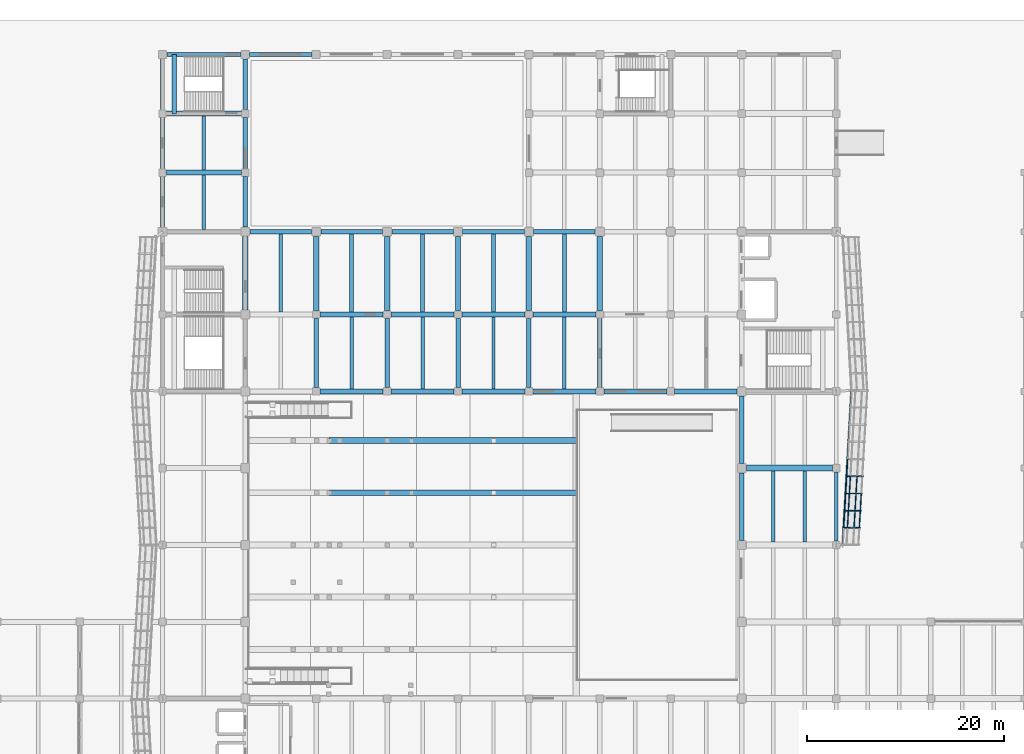
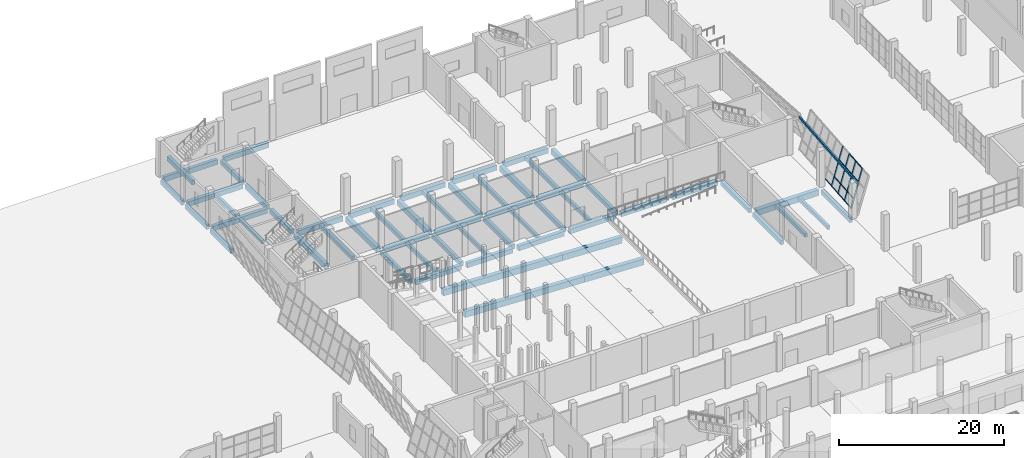
# One storey, part 30 of 78: 61 beams, 16 members, 1 element without a shape of its own.
"""IFC4 building model written with IfcOpenShell, lengths in metres."""

import ifcopenshell
import ifcopenshell.guid

model = None  # the IFC model being written
_history = None  # IfcOwnerHistory: only IFC2X3 demands one
_inside = {}  # id of a spatial element -> (the spatial element, [elements in it])
_under = {}  # id of a project, library or spatial element -> (it, [spatial elements below it])
_declared = {}  # id of a project -> (the project, [libraries it declares])
_typed = {}  # id of a type object -> (the type object, [elements of that type])
_made_of = {}  # id of a material, layer set ... -> (it, [elements and type objects made of it])


def new_model(schema):
    """Start an empty IFC model of exactly this schema.

    Asked for "IFC4X3", IfcOpenShell would pick the latest addendum, in which some entities
    have other attributes; the version numbers below select the first issue.
    IFC2X3 requires an IfcOwnerHistory on every rooted entity: one is made here for all.
    """
    global model, _history
    if schema == "IFC4X3":
        model = ifcopenshell.file(schema_version=(4, 3, 0, 0))
    else:
        model = ifcopenshell.file(schema=schema)
    _inside.clear()
    _under.clear()
    _declared.clear()
    _typed.clear()
    _made_of.clear()
    _history = None
    if model.schema == "IFC2X3":
        org = make("IfcOrganization", Name="unknown")
        user = make(
            "IfcPersonAndOrganization",
            ThePerson=make("IfcPerson", FamilyName="unknown"),
            TheOrganization=org,
        )
        app = make(
            "IfcApplication",
            ApplicationDeveloper=org,
            Version="unknown",
            ApplicationFullName="unknown",
            ApplicationIdentifier="unknown",
        )
        _history = make(
            "IfcOwnerHistory",
            OwningUser=user,
            OwningApplication=app,
            ChangeAction="ADDED",
            CreationDate=0,
        )
    return model


def make(cls, **values):
    """One entity of the class cls with the attributes given. An attribute that is None is left unset."""
    return model.create_entity(
        cls, **{name: value for name, value in values.items() if value is not None}
    )


def rooted(cls, **values):
    """An entity with a GlobalId (a new one), such as an element, a storey or a relation."""
    return make(cls, GlobalId=ifcopenshell.guid.new(), OwnerHistory=_history, **values)


def si_unit(unit_type, name, prefix=None):
    """IfcSIUnit, for example si_unit("LENGTHUNIT", "METRE", prefix="MILLI")."""
    return make("IfcSIUnit", UnitType=unit_type, Prefix=prefix, Name=name)


def assignment(units):
    """IfcUnitAssignment: the units of a project."""
    return None if units is None else make("IfcUnitAssignment", Units=units)


def point(xyz):
    """IfcCartesianPoint."""
    return None if xyz is None else make("IfcCartesianPoint", Coordinates=xyz)


def direction(xyz):
    """IfcDirection."""
    return None if xyz is None else make("IfcDirection", DirectionRatios=xyz)


def frame(location, z_axis=None, x_axis=None):
    """IfcAxis2Placement3D, a coordinate frame: its origin and axes. An axis left out is left unset."""
    return make(
        "IfcAxis2Placement3D",
        Location=point(location),
        Axis=direction(z_axis),
        RefDirection=direction(x_axis),
    )


def frame_2d(location, x_axis=None):
    """IfcAxis2Placement2D, a coordinate frame in the plane: its origin and x axis."""
    return make(
        "IfcAxis2Placement2D", Location=point(location), RefDirection=direction(x_axis)
    )


def origin():
    """The frame at (0, 0, 0) with its axes left unset."""
    return frame((0.0, 0.0, 0.0))


def origin_2d():
    """The frame at (0, 0) in the plane with its x axis left unset."""
    return frame_2d((0.0, 0.0))


def place(relative_to, where):
    """IfcLocalPlacement: puts the frame where relative to a parent placement (None: the world)."""
    return make(
        "IfcLocalPlacement", PlacementRelTo=relative_to, RelativePlacement=where
    )


def context(
    kind, dimensions, precision=None, world=None, true_north=None, identifier=None
):
    """IfcGeometricRepresentationContext, for example the 3D "Model" context."""
    return make(
        "IfcGeometricRepresentationContext",
        ContextIdentifier=identifier,
        ContextType=kind,
        CoordinateSpaceDimension=dimensions,
        Precision=precision,
        WorldCoordinateSystem=world,
        TrueNorth=true_north,
    )


def subcontext(parent, identifier, kind, view, scale=None):
    """IfcGeometricRepresentationSubContext, for example "Body" below "Model"."""
    return make(
        "IfcGeometricRepresentationSubContext",
        ContextIdentifier=identifier,
        ContextType=kind,
        ParentContext=parent,
        TargetScale=scale,
        TargetView=view,
    )


def project(units=None, contexts=None):
    """IfcProject with its units and contexts."""
    return rooted(
        "IfcProject",
        Name="project",
        RepresentationContexts=contexts,
        UnitsInContext=assignment(units),
    )


def spatial(cls, under=None, at=None, **own):
    """A site, building, storey or space (cls), placed at a placement, below another one or the project."""
    s = rooted(cls, ObjectPlacement=at, **own)
    if under is not None:
        _under.setdefault(under.id(), (under, []))[1].append(s)
    return s


def profile(cls, at=None, kind="AREA", **sizes):
    """A parametric profile (cls). Its sizes go by their IFC names, for example OverallWidth=200.0."""
    return make(cls, ProfileType=kind, Position=at, **sizes)


def rectangle(**sizes):
    """IfcRectangleProfileDef."""
    return profile("IfcRectangleProfileDef", **sizes)


def hollow_rectangle(**sizes):
    """IfcRectangleHollowProfileDef."""
    return profile("IfcRectangleHollowProfileDef", **sizes)


def extrude(swept, where, along, depth):
    """IfcExtrudedAreaSolid: the profile swept, set in the frame where, extruded along a direction by depth."""
    return make(
        "IfcExtrudedAreaSolid",
        SweptArea=swept,
        Position=where,
        ExtrudedDirection=direction(along),
        Depth=depth,
    )


def shape(context_of_items, identifier, shape_type, items):
    """IfcShapeRepresentation: the items that make up one representation, for example the "Body"."""
    return make(
        "IfcShapeRepresentation",
        ContextOfItems=context_of_items,
        RepresentationIdentifier=identifier,
        RepresentationType=shape_type,
        Items=items,
    )


def material(Name=None, Category=None):
    """IfcMaterial."""
    return make("IfcMaterial", Name=Name, Category=Category)


def material_profile(
    of_material, cross_section, Name=None, Category=None, Priority=None
):
    """IfcMaterialProfile: a cross section and its material."""
    return make(
        "IfcMaterialProfile",
        Name=Name,
        Material=of_material,
        Profile=cross_section,
        Priority=Priority,
        Category=Category,
    )


def profile_set(profiles, Name=None, composite=None):
    """IfcMaterialProfileSet."""
    return make(
        "IfcMaterialProfileSet",
        Name=Name,
        MaterialProfiles=profiles,
        CompositeProfile=composite,
    )


def made_of(thing, what):
    """Note that an element or type object is made of a material, layer set ...; save() writes the relation."""
    if what is not None:
        _made_of.setdefault(what.id(), (what, []))[1].append(thing)
    return thing


def type_object(cls, material=None, **own):
    """A type object (cls), such as IfcWallType, which elements share."""
    return made_of(rooted(cls, **own), material)


def element(
    cls,
    number,
    at=None,
    inside=None,
    cuts=None,
    type_object=None,
    material=None,
    context=None,
    identifier="Body",
    shape_type=None,
    held_by="IfcProductDefinitionShape",
    body=None,
    shapes=None,
    **own,
):
    """One element of the class cls, such as IfcWall. Its Tag is "e" and its number.

    at: its placement. inside: the storey or other place that contains it. cuts: it is an
    opening in that element (IfcRelVoidsElement). A single representation is given by context,
    identifier, shape_type and body (its items); several are given by shapes. held_by: the class
    of the entity that holds the representations. save() writes the other relations.
    """
    e = rooted(cls, Tag="e%d" % number, ObjectPlacement=at, **own)
    if body is not None:
        shapes = [shape(context, identifier, shape_type, body)]
    if shapes is not None:
        e.Representation = make(held_by, Representations=shapes)
    if inside is not None:
        _inside.setdefault(inside.id(), (inside, []))[1].append(e)
    if cuts is not None:
        rooted(
            "IfcRelVoidsElement", RelatingBuildingElement=cuts, RelatedOpeningElement=e
        )
    if type_object is not None:
        _typed.setdefault(type_object.id(), (type_object, []))[1].append(e)
    return made_of(e, material)


def aggregate(whole, parts):
    """IfcRelAggregates: a whole, such as a stair, and the parts it consists of."""
    return rooted("IfcRelAggregates", RelatingObject=whole, RelatedObjects=parts)


def save(model, path):
    """Write the relations noted so far, then the file.

    IfcRelAggregates (storeys below a building ...), IfcRelContainedInSpatialStructure (elements
    in a storey), IfcRelDefinesByType, IfcRelAssociatesMaterial and IfcRelDeclares: one each for
    every whole, place, type object, material and project.
    """
    for whole, parts in _under.values():
        aggregate(whole, parts)
    for where, things in _inside.values():
        rooted(
            "IfcRelContainedInSpatialStructure",
            RelatedElements=things,
            RelatingStructure=where,
        )
    for kind, things in _typed.values():
        rooted("IfcRelDefinesByType", RelatedObjects=things, RelatingType=kind)
    for what, things in _made_of.values():
        rooted("IfcRelAssociatesMaterial", RelatedObjects=things, RelatingMaterial=what)
    for by, libraries in _declared.values():
        rooted("IfcRelDeclares", RelatingContext=by, RelatedDefinitions=libraries)
    model.write(path)


model = new_model("IFC4")

# Units and contexts
model_context = context("Model", 3, precision=1e-05, world=origin(), true_north=direction((0.0, 1.0)))
body_context = subcontext(model_context, "Body", "Model", "MODEL_VIEW")
ifc_project = project(units=[si_unit("LENGTHUNIT", "METRE"), si_unit("AREAUNIT", "SQUARE_METRE"), si_unit("VOLUMEUNIT", "CUBIC_METRE"), si_unit("PLANEANGLEUNIT", "RADIAN"), si_unit("MASSUNIT", "GRAM", prefix="KILO")], contexts=[model_context])

# Site, building, storey
site_placement = place(None, origin())
site = spatial("IfcSite", under=ifc_project, at=site_placement, CompositionType="ELEMENT")
building_placement = place(site_placement, origin())
building = spatial("IfcBuilding", under=site, at=building_placement, Name="Pellamere Symphony Hall", CompositionType="ELEMENT")
storey_placement = place(building_placement, origin())
storey = spatial("IfcBuildingStorey", under=building, at=storey_placement, Name="L00", CompositionType="ELEMENT", Elevation=0.0)

# Curtain wall, members
ifc_material_1 = material(Name="Thermally Broken Anodised Aluminium 6063-T6 Curtain Wall", Category="aluminium")
curtain_wall_type = type_object("IfcCurtainWallType", Name="Curtain Wall CW-01 (Tilted Faceted Crystal Low-Iron Curtain Wall)", PredefinedType="NOTDEFINED", material=ifc_material_1)
curtain_wall_placement = place(storey_placement, origin())
curtain_wall = element("IfcCurtainWall", 1, at=curtain_wall_placement, inside=storey, type_object=curtain_wall_type, Name="Crystal Faceted Curtain Wall CW-CR08 (L00)", PredefinedType="NOTDEFINED")
ifc_material_2 = material(Name="Anodised Architectural Aluminium 6063-T6", Category="aluminium")
ifc_material_profile_1 = material_profile(ifc_material_2, hollow_rectangle(XDim=0.074951171875, YDim=0.219970703125, WallThickness=0.0048828125, at=origin_2d()), Name="ALU-M75X220X5")
ifc_profile_set_1 = profile_set([ifc_material_profile_1], Name="Anodised Architectural Aluminium 6063-T6")
member_type_1 = type_object("IfcMemberType", Name="Curtain Wall Mullion ML-01 ALU-M75X220X5", PredefinedType="MULLION", material=ifc_profile_set_1)
member_1_placement = place(storey_placement, frame((119.550048828125, 63.54443359375, 0.0), z_axis=(0.284029290042, 0.0, 0.958815603961), x_axis=(-0.054873864247, -0.99836096977, 0.016255247244)))
member_1 = element("IfcMember", 2, at=member_1_placement, type_object=member_type_1, Name="CW1-012 crystal mullion 2", PredefinedType="MULLION", context=body_context, shape_type="SweptSolid", body=[
    extrude(hollow_rectangle(XDim=0.074951171875, YDim=0.219970703125, WallThickness=0.0048828125, at=origin_2d()), origin(), (0.0, 0.0, 1.0), 5.6318359375),
])
member_2_placement = place(storey_placement, frame((119.64990234375, 65.288818359375, 0.0), z_axis=(0.284029290042, 0.0, 0.958815603961), x_axis=(-0.054873864247, -0.99836096977, 0.016255247244)))
member_2 = element("IfcMember", 3, at=member_2_placement, type_object=member_type_1, Name="CW1-012 crystal mullion 3", PredefinedType="MULLION", context=body_context, shape_type="SweptSolid", body=[
    extrude(hollow_rectangle(XDim=0.074951171875, YDim=0.219970703125, WallThickness=0.0048828125, at=origin_2d()), origin(), (0.0, 0.0, 1.0), 5.6318359375),
])
member_3_placement = place(storey_placement, frame((119.75, 67.033447265625, 0.0), z_axis=(0.284029290042, 0.0, 0.958815603961), x_axis=(-0.054873864247, -0.99836096977, 0.016255247244)))
member_3 = element("IfcMember", 4, at=member_3_placement, type_object=member_type_1, Name="CW1-012 crystal mullion 4", PredefinedType="MULLION", context=body_context, shape_type="SweptSolid", body=[
    extrude(hollow_rectangle(XDim=0.074951171875, YDim=0.219970703125, WallThickness=0.0048828125, at=origin_2d()), origin(), (0.0, 0.0, 1.0), 5.6318359375),
])
member_4_placement = place(storey_placement, frame((119.85009765625, 68.77783203125, 0.0), z_axis=(0.284029290042, 0.0, 0.958815603961), x_axis=(-0.054873864247, -0.99836096977, 0.016255247244)))
member_4 = element("IfcMember", 5, at=member_4_placement, type_object=member_type_1, Name="CW1-012 crystal mullion 5", PredefinedType="MULLION", context=body_context, shape_type="SweptSolid", body=[
    extrude(hollow_rectangle(XDim=0.074951171875, YDim=0.219970703125, WallThickness=0.0048828125, at=origin_2d()), origin(), (0.0, 0.0, 1.0), 5.6318359375),
])
ifc_material_profile_2 = material_profile(ifc_material_2, hollow_rectangle(XDim=0.074951171875, YDim=0.179931640625, WallThickness=0.0048828125, at=origin_2d()), Name="ALU-T75X180X5")
ifc_profile_set_2 = profile_set([ifc_material_profile_2], Name="Anodised Architectural Aluminium 6063-T6")
member_type_2 = type_object("IfcMemberType", Name="Curtain Wall Transom TR-01 ALU-T75X180X5", PredefinedType="USERDEFINED", material=ifc_profile_set_2)
member_5_placement = place(storey_placement, frame((119.562744140625, 63.581787109375, 0.035888671875), z_axis=(0.057224396245, 0.998361341637, 0.0), x_axis=(-0.998361341637, 0.057224396245, 0.0)))
member_5 = element("IfcMember", 6, at=member_5_placement, type_object=member_type_2, Name="CW1-012 crystal transom 2.1", ObjectType="TRANSOM", PredefinedType="USERDEFINED", context=body_context, shape_type="SweptSolid", body=[
    extrude(hollow_rectangle(XDim=0.074951171875, YDim=0.179931640625, WallThickness=0.0048828125, at=origin_2d()), origin(), (0.0, 0.0, 1.0), 1.67236328125),
])
member_6_placement = place(storey_placement, frame((119.93603515625, 63.581787109375, 1.2958984375), z_axis=(0.057224396245, 0.998361341637, 0.0), x_axis=(-0.998361341637, 0.057224396245, 0.0)))
member_6 = element("IfcMember", 7, at=member_6_placement, type_object=member_type_2, Name="CW1-012 crystal transom 2.2", ObjectType="TRANSOM", PredefinedType="USERDEFINED", context=body_context, shape_type="SweptSolid", body=[
    extrude(hollow_rectangle(XDim=0.074951171875, YDim=0.179931640625, WallThickness=0.0048828125, at=origin_2d()), origin(), (0.0, 0.0, 1.0), 1.67236328125),
])
member_7_placement = place(storey_placement, frame((120.60791015625, 63.581787109375, 3.56396484375), z_axis=(0.057224396245, 0.998361341637, 0.0), x_axis=(-0.998361341637, 0.057224396245, 0.0)))
member_7 = element("IfcMember", 8, at=member_7_placement, type_object=member_type_2, Name="CW1-012 crystal transom 2.3", ObjectType="TRANSOM", PredefinedType="USERDEFINED", context=body_context, shape_type="SweptSolid", body=[
    extrude(hollow_rectangle(XDim=0.074951171875, YDim=0.179931640625, WallThickness=0.0048828125, at=origin_2d()), origin(), (0.0, 0.0, 1.0), 1.67236328125),
])
member_8_placement = place(storey_placement, frame((121.14111328125, 63.581787109375, 5.364013671875), z_axis=(0.057224396245, 0.998361341637, 0.0), x_axis=(-0.998361341637, 0.057224396245, 0.0)))
member_8 = element("IfcMember", 9, at=member_8_placement, type_object=member_type_2, Name="CW1-012 crystal transom 2.4", ObjectType="TRANSOM", PredefinedType="USERDEFINED", context=body_context, shape_type="SweptSolid", body=[
    extrude(hollow_rectangle(XDim=0.074951171875, YDim=0.179931640625, WallThickness=0.0048828125, at=origin_2d()), origin(), (0.0, 0.0, 1.0), 1.67236328125),
])
member_9_placement = place(storey_placement, frame((119.662841796875, 65.326416015625, 0.035888671875), z_axis=(0.057232737422, 0.998360863499, 0.0), x_axis=(-0.998360863499, 0.057232737422, 0.0)))
member_9 = element("IfcMember", 10, at=member_9_placement, type_object=member_type_2, Name="CW1-012 crystal transom 3.1", ObjectType="TRANSOM", PredefinedType="USERDEFINED", context=body_context, shape_type="SweptSolid", body=[
    extrude(hollow_rectangle(XDim=0.074951171875, YDim=0.179931640625, WallThickness=0.0048828125, at=origin_2d()), origin(), (0.0, 0.0, 1.0), 1.672119140625),
])
member_10_placement = place(storey_placement, frame((120.0361328125, 65.326416015625, 1.2958984375), z_axis=(0.057232737422, 0.998360863499, 0.0), x_axis=(-0.998360863499, 0.057232737422, 0.0)))
member_10 = element("IfcMember", 11, at=member_10_placement, type_object=member_type_2, Name="CW1-012 crystal transom 3.2", ObjectType="TRANSOM", PredefinedType="USERDEFINED", context=body_context, shape_type="SweptSolid", body=[
    extrude(hollow_rectangle(XDim=0.074951171875, YDim=0.179931640625, WallThickness=0.0048828125, at=origin_2d()), origin(), (0.0, 0.0, 1.0), 1.672119140625),
])
member_11_placement = place(storey_placement, frame((120.707763671875, 65.326416015625, 3.56396484375), z_axis=(0.057378259236, 0.998352510573, 0.0), x_axis=(-0.998352510573, 0.057378259236, 0.0)))
member_11 = element("IfcMember", 12, at=member_11_placement, type_object=member_type_2, Name="CW1-012 crystal transom 3.3", ObjectType="TRANSOM", PredefinedType="USERDEFINED", context=body_context, shape_type="SweptSolid", body=[
    extrude(hollow_rectangle(XDim=0.074951171875, YDim=0.179931640625, WallThickness=0.0048828125, at=origin_2d()), origin(), (0.0, 0.0, 1.0), 1.672119140625),
])
member_12_placement = place(storey_placement, frame((121.2412109375, 65.326416015625, 5.364013671875), z_axis=(0.057232737422, 0.998360863499, 0.0), x_axis=(-0.998360863499, 0.057232737422, 0.0)))
member_12 = element("IfcMember", 13, at=member_12_placement, type_object=member_type_2, Name="CW1-012 crystal transom 3.4", ObjectType="TRANSOM", PredefinedType="USERDEFINED", context=body_context, shape_type="SweptSolid", body=[
    extrude(hollow_rectangle(XDim=0.074951171875, YDim=0.179931640625, WallThickness=0.0048828125, at=origin_2d()), origin(), (0.0, 0.0, 1.0), 1.672119140625),
])
member_13_placement = place(storey_placement, frame((119.7626953125, 67.07080078125, 0.035888671875), z_axis=(0.057232737422, 0.998360863499, 0.0), x_axis=(-0.998360863499, 0.057232737422, 0.0)))
member_13 = element("IfcMember", 14, at=member_13_placement, type_object=member_type_2, Name="CW1-012 crystal transom 4.1", ObjectType="TRANSOM", PredefinedType="USERDEFINED", context=body_context, shape_type="SweptSolid", body=[
    extrude(hollow_rectangle(XDim=0.074951171875, YDim=0.179931640625, WallThickness=0.0048828125, at=origin_2d()), origin(), (0.0, 0.0, 1.0), 1.672119140625),
])
member_14_placement = place(storey_placement, frame((120.135986328125, 67.07080078125, 1.2958984375), z_axis=(0.057232737422, 0.998360863499, 0.0), x_axis=(-0.998360863499, 0.057232737422, 0.0)))
member_14 = element("IfcMember", 15, at=member_14_placement, type_object=member_type_2, Name="CW1-012 crystal transom 4.2", ObjectType="TRANSOM", PredefinedType="USERDEFINED", context=body_context, shape_type="SweptSolid", body=[
    extrude(hollow_rectangle(XDim=0.074951171875, YDim=0.179931640625, WallThickness=0.0048828125, at=origin_2d()), origin(), (0.0, 0.0, 1.0), 1.672119140625),
])
member_15_placement = place(storey_placement, frame((120.807861328125, 67.07080078125, 3.56396484375), z_axis=(0.057232737422, 0.998360863499, 0.0), x_axis=(-0.998360863499, 0.057232737422, 0.0)))
member_15 = element("IfcMember", 16, at=member_15_placement, type_object=member_type_2, Name="CW1-012 crystal transom 4.3", ObjectType="TRANSOM", PredefinedType="USERDEFINED", context=body_context, shape_type="SweptSolid", body=[
    extrude(hollow_rectangle(XDim=0.074951171875, YDim=0.179931640625, WallThickness=0.0048828125, at=origin_2d()), origin(), (0.0, 0.0, 1.0), 1.672119140625),
])
member_16_placement = place(storey_placement, frame((119.86279296875, 68.815185546875, 0.035888671875), z_axis=(0.057224396245, 0.998361341637, 0.0), x_axis=(-0.998361341637, 0.057224396245, 0.0)))
member_16 = element("IfcMember", 17, at=member_16_placement, type_object=member_type_2, Name="CW1-012 crystal transom 5.1", ObjectType="TRANSOM", PredefinedType="USERDEFINED", context=body_context, shape_type="SweptSolid", body=[
    extrude(hollow_rectangle(XDim=0.074951171875, YDim=0.179931640625, WallThickness=0.0048828125, at=origin_2d()), origin(), (0.0, 0.0, 1.0), 1.67236328125),
])
aggregate(curtain_wall, [member_1, member_2, member_3, member_4, member_5, member_6, member_7, member_8, member_9, member_10, member_11, member_12, member_13, member_14, member_15, member_16])

# Beams
ifc_material_3 = material(Name="Concrete 40 MPa", Category="concrete")
ifc_material_profile_3 = material_profile(ifc_material_3, rectangle(XDim=0.60009765625, YDim=0.85009765625, at=origin_2d()), Name="RC 600x850")
ifc_profile_set_3 = profile_set([ifc_material_profile_3], Name="Concrete 40 MPa")
beam_type_1 = type_object("IfcBeamType", Name="RC CB-04 600x850", PredefinedType="BEAM", material=ifc_profile_set_3)
beam_1_placement = place(storey_placement, frame((109.675048828125, 69.60009765625, -0.72509765625), z_axis=(1.0, 0.0, 0.0), x_axis=(0.0, 1.0, 0.0)))
element("IfcBeam", 18, at=beam_1_placement, inside=storey, type_object=beam_type_1, Name="Girder CB-04-X0131 (L00)", PredefinedType="BEAM", context=body_context, shape_type="SweptSolid", body=[
    extrude(rectangle(XDim=0.60009765625, YDim=0.85009765625, at=origin_2d()), origin(), (0.0, 0.0, 1.0), 8.724853515625),
])
ifc_material_profile_4 = material_profile(ifc_material_3, rectangle(XDim=0.550048828125, YDim=0.800048828125, at=origin_2d()), Name="RC 550x800")
ifc_profile_set_4 = profile_set([ifc_material_profile_4], Name="Concrete 40 MPa")
beam_type_2 = type_object("IfcBeamType", Name="RC CB-05 550x800", PredefinedType="BEAM", material=ifc_profile_set_4)
beam_2_placement = place(storey_placement, frame((58.800048828125, 85.675048828125, -0.699951171875), z_axis=(0.0, 1.0, 0.0), x_axis=(-1.0, 0.0, 0.0)))
element("IfcBeam", 19, at=beam_2_placement, inside=storey, type_object=beam_type_2, Name="Girder CB-05-Y0255 (L00)", PredefinedType="BEAM", context=body_context, shape_type="SweptSolid", body=[
    extrude(rectangle(XDim=0.550048828125, YDim=0.800048828125, at=origin_2d()), origin(), (0.0, 0.0, 1.0), 7.449951171875),
])
for number, where, z_axis, x_axis, name in (
    (20, (66.0, 85.60009765625, -0.699951171875), (0.0, 1.0, 0.0), (-1.0, 0.0, 0.0), "Girder CB-05-Y0264 (L00)"),
    (21, (73.199951171875, 85.60009765625, -0.699951171875), (0.0, 1.0, 0.0), (-1.0, 0.0, 0.0), "Girder CB-05-Y0270 (L00)"),
    (22, (80.39990234375, 85.60009765625, -0.699951171875), (0.0, 1.0, 0.0), (-1.0, 0.0, 0.0), "Girder CB-05-Y0276 (L00)"),
    (23, (87.60009765625, 85.60009765625, -0.699951171875), (0.0, 1.0, 0.0), (-1.0, 0.0, 0.0), "Girder CB-05-Y0282 (L00)"),
    (24, (94.800048828125, 85.60009765625, -0.699951171875), (0.0, 1.0, 0.0), (-1.0, 0.0, 0.0), "Girder CB-05-Y0291 (L00)"),
):
    element("IfcBeam", number, at=place(storey_placement, frame(where, z_axis=z_axis, x_axis=x_axis)), inside=storey, type_object=beam_type_2, Name=name, PredefinedType="BEAM", context=body_context, shape_type="SweptSolid", body=[
        extrude(rectangle(XDim=0.550048828125, YDim=0.800048828125, at=origin_2d()), origin(), (0.0, 0.0, 1.0), 7.52490234375),
    ])
ifc_material_profile_5 = material_profile(ifc_material_3, rectangle(XDim=0.5, YDim=0.699951171875, at=origin_2d()), Name="RC 500x700")
ifc_profile_set_5 = profile_set([ifc_material_profile_5], Name="Concrete 40 MPa")
beam_type_3 = type_object("IfcBeamType", Name="RC CB-07 500x700", PredefinedType="BEAM", material=ifc_profile_set_5)
beam_3_placement = place(storey_placement, frame((66.39990234375, 77.39990234375, -0.64990234375), z_axis=(1.0, 0.0, 0.0), x_axis=(0.0, 1.0, 0.0)))
element("IfcBeam", 25, at=beam_3_placement, inside=storey, type_object=beam_type_3, Name="Girder CB-07-X0138 (L00)", PredefinedType="BEAM", context=body_context, shape_type="SweptSolid", body=[
    extrude(rectangle(XDim=0.5, YDim=0.699951171875, at=origin_2d()), origin(), (0.0, 0.0, 1.0), 6.400146484375),
])
for number, where, z_axis, x_axis, name in (
    (26, (73.60009765625, 77.39990234375, -0.64990234375), (1.0, 0.0, 0.0), (0.0, 1.0, 0.0), "Girder CB-07-X0139 (L00)"),
    (27, (80.800048828125, 77.39990234375, -0.64990234375), (1.0, 0.0, 0.0), (0.0, 1.0, 0.0), "Girder CB-07-X0140 (L00)"),
    (28, (88.0, 77.39990234375, -0.64990234375), (1.0, 0.0, 0.0), (0.0, 1.0, 0.0), "Girder CB-07-X0141 (L00)"),
):
    element("IfcBeam", number, at=place(storey_placement, frame(where, z_axis=z_axis, x_axis=x_axis)), inside=storey, type_object=beam_type_3, Name=name, PredefinedType="BEAM", context=body_context, shape_type="SweptSolid", body=[
        extrude(rectangle(XDim=0.5, YDim=0.699951171875, at=origin_2d()), origin(), (0.0, 0.0, 1.0), 6.39990234375),
    ])
beam_4_placement = place(storey_placement, frame((95.199951171875, 77.39990234375, -0.64990234375), z_axis=(1.0, 0.0, 0.0), x_axis=(0.0, 1.0, 0.0)))
element("IfcBeam", 29, at=beam_4_placement, inside=storey, type_object=beam_type_3, Name="Girder CB-07-X0142 (L00)", PredefinedType="BEAM", context=body_context, shape_type="SweptSolid", body=[
    extrude(rectangle(XDim=0.5, YDim=0.699951171875, at=origin_2d()), origin(), (0.0, 0.0, 1.0), 6.400146484375),
])
beam_5_placement = place(storey_placement, frame((102.39990234375, 77.39990234375, -0.64990234375), z_axis=(1.0, 0.0, 0.0), x_axis=(0.0, 1.0, 0.0)))
element("IfcBeam", 30, at=beam_5_placement, inside=storey, type_object=beam_type_3, Name="Girder CB-07-X0143 (L00)", PredefinedType="BEAM", context=body_context, shape_type="SweptSolid", body=[
    extrude(rectangle(XDim=0.5, YDim=0.699951171875, at=origin_2d()), origin(), (0.0, 0.0, 1.0), 6.3251953125),
])
beam_6_placement = place(storey_placement, frame((66.39990234375, 85.199951171875, -0.64990234375), z_axis=(1.0, 0.0, 0.0), x_axis=(0.0, 1.0, 0.0)))
element("IfcBeam", 31, at=beam_6_placement, inside=storey, type_object=beam_type_3, Name="Girder CB-07-X0151 (L00)", PredefinedType="BEAM", context=body_context, shape_type="SweptSolid", body=[
    extrude(rectangle(XDim=0.5, YDim=0.699951171875, at=origin_2d()), origin(), (0.0, 0.0, 1.0), 6.400146484375),
])
for number, where, z_axis, x_axis, name in (
    (32, (73.60009765625, 85.199951171875, -0.64990234375), (1.0, 0.0, 0.0), (0.0, 1.0, 0.0), "Girder CB-07-X0152 (L00)"),
    (33, (80.800048828125, 85.199951171875, -0.64990234375), (1.0, 0.0, 0.0), (0.0, 1.0, 0.0), "Girder CB-07-X0153 (L00)"),
    (34, (88.0, 85.199951171875, -0.64990234375), (1.0, 0.0, 0.0), (0.0, 1.0, 0.0), "Girder CB-07-X0154 (L00)"),
):
    element("IfcBeam", number, at=place(storey_placement, frame(where, z_axis=z_axis, x_axis=x_axis)), inside=storey, type_object=beam_type_3, Name=name, PredefinedType="BEAM", context=body_context, shape_type="SweptSolid", body=[
        extrude(rectangle(XDim=0.5, YDim=0.699951171875, at=origin_2d()), origin(), (0.0, 0.0, 1.0), 6.39990234375),
    ])
for number, where, z_axis, x_axis, name in (
    (35, (50.800048828125, 99.60009765625, -0.64990234375), (1.0, 0.0, 0.0), (0.0, 1.0, 0.0), "Girder CB-07-X0174 (L00)"),
    (36, (50.800048828125, 105.60009765625, -0.64990234375), (1.0, 0.0, 0.0), (0.0, 1.0, 0.0), "Girder CB-07-X0183 (L00)"),
):
    element("IfcBeam", number, at=place(storey_placement, frame(where, z_axis=z_axis, x_axis=x_axis)), inside=storey, type_object=beam_type_3, Name=name, PredefinedType="BEAM", context=body_context, shape_type="SweptSolid", body=[
        extrude(rectangle(XDim=0.5, YDim=0.699951171875, at=origin_2d()), origin(), (0.0, 0.0, 1.0), 7.599853515625),
    ])
ifc_material_profile_6 = material_profile(ifc_material_3, rectangle(XDim=0.449951171875, YDim=0.64990234375, at=origin_2d()), Name="RC 450x650")
ifc_profile_set_6 = profile_set([ifc_material_profile_6], Name="Concrete 40 MPa")
beam_type_4 = type_object("IfcBeamType", Name="RC CB-08 450x650", PredefinedType="BEAM", material=ifc_profile_set_6)
beam_7_placement = place(storey_placement, frame((58.800048828125, 94.074951171875, -0.625), z_axis=(0.0, 1.0, 0.0), x_axis=(-1.0, 0.0, 0.0)))
element("IfcBeam", 37, at=beam_7_placement, inside=storey, type_object=beam_type_4, Name="Girder CB-08-Y0256 (L00)", PredefinedType="BEAM", context=body_context, shape_type="SweptSolid", body=[
    extrude(rectangle(XDim=0.449951171875, YDim=0.64990234375, at=origin_2d()), origin(), (0.0, 0.0, 1.0), 5.125),
])
beam_8_placement = place(storey_placement, frame((58.800048828125, 100.0, -0.625), z_axis=(0.0, 1.0, 0.0), x_axis=(-1.0, 0.0, 0.0)))
element("IfcBeam", 38, at=beam_8_placement, inside=storey, type_object=beam_type_4, Name="Girder CB-08-Y0257 (L00)", PredefinedType="BEAM", context=body_context, shape_type="SweptSolid", body=[
    extrude(rectangle(XDim=0.449951171875, YDim=0.64990234375, at=origin_2d()), origin(), (0.0, 0.0, 1.0), 5.199951171875),
])
beam_9_placement = place(storey_placement, frame((58.800048828125, 106.0, -0.625), z_axis=(0.0, 1.0, 0.0), x_axis=(-1.0, 0.0, 0.0)))
element("IfcBeam", 39, at=beam_9_placement, inside=storey, type_object=beam_type_4, Name="Girder CB-08-Y0258 (L00)", PredefinedType="BEAM", context=body_context, shape_type="SweptSolid", body=[
    extrude(rectangle(XDim=0.449951171875, YDim=0.64990234375, at=origin_2d()), origin(), (0.0, 0.0, 1.0), 5.159912109375),
])
for number, where, z_axis, x_axis, name in (
    (40, (66.0, 77.800048828125, -0.625), (0.0, 1.0, 0.0), (-1.0, 0.0, 0.0), "Girder CB-08-Y0263 (L00)"),
    (41, (73.199951171875, 77.800048828125, -0.625), (0.0, 1.0, 0.0), (-1.0, 0.0, 0.0), "Girder CB-08-Y0269 (L00)"),
    (42, (80.39990234375, 77.800048828125, -0.625), (0.0, 1.0, 0.0), (-1.0, 0.0, 0.0), "Girder CB-08-Y0275 (L00)"),
    (43, (87.60009765625, 77.800048828125, -0.625), (0.0, 1.0, 0.0), (-1.0, 0.0, 0.0), "Girder CB-08-Y0281 (L00)"),
    (44, (94.800048828125, 77.800048828125, -0.625), (0.0, 1.0, 0.0), (-1.0, 0.0, 0.0), "Girder CB-08-Y0290 (L00)"),
):
    element("IfcBeam", number, at=place(storey_placement, frame(where, z_axis=z_axis, x_axis=x_axis)), inside=storey, type_object=beam_type_4, Name=name, PredefinedType="BEAM", context=body_context, shape_type="SweptSolid", body=[
        extrude(rectangle(XDim=0.449951171875, YDim=0.64990234375, at=origin_2d()), origin(), (0.0, 0.0, 1.0), 7.0),
    ])
for number, where, z_axis, x_axis, name in (
    (45, (109.199951171875, 62.27490234375, -0.625), (0.0, 1.0, 0.0), (-1.0, 0.0, 0.0), "Girder CB-08-Y0310 (L00)"),
    (46, (109.199951171875, 70.074951171875, -0.625), (0.0, 1.0, 0.0), (-1.0, 0.0, 0.0), "Girder CB-08-Y0311 (L00)"),
):
    element("IfcBeam", number, at=place(storey_placement, frame(where, z_axis=z_axis, x_axis=x_axis)), inside=storey, type_object=beam_type_4, Name=name, PredefinedType="BEAM", context=body_context, shape_type="SweptSolid", body=[
        extrude(rectangle(XDim=0.449951171875, YDim=0.64990234375, at=origin_2d()), origin(), (0.0, 0.0, 1.0), 6.85009765625),
    ])
beam_10_placement = place(storey_placement, frame((51.592529296875, 105.580078125, 2.155029296875), z_axis=(0.0, 1.0, 0.0), x_axis=(-1.0, 0.0, 0.0)))
element("IfcBeam", 47, at=beam_10_placement, inside=storey, type_object=beam_type_4, Name="Stair ST10-L00 Half Landing Support Beam (L00)", PredefinedType="BEAM", context=body_context, shape_type="SweptSolid", body=[
    extrude(rectangle(XDim=0.449951171875, YDim=0.64990234375, at=origin_2d()), origin(), (0.0, 0.0, 1.0), 6.0400390625),
])
ifc_material_profile_7 = material_profile(ifc_material_3, rectangle(XDim=0.39990234375, YDim=0.60009765625, at=origin_2d()), Name="RC 400x600")
ifc_profile_set_7 = profile_set([ifc_material_profile_7], Name="Concrete 40 MPa")
beam_type_5 = type_object("IfcBeamType", Name="RC CB-09 400x600", PredefinedType="BEAM", material=ifc_profile_set_7)
for number, where, z_axis, x_axis, name in (
    (48, (62.39990234375, 85.449951171875, -0.614990234375), (0.0, 1.0, 0.0), (-1.0, 0.0, 0.0), "Secondary Floor Beam CB-09-M0711 (L00)"),
    (49, (69.60009765625, 85.449951171875, -0.614990234375), (0.0, 1.0, 0.0), (-1.0, 0.0, 0.0), "Secondary Floor Beam CB-09-M0811 (L00)"),
    (50, (76.800048828125, 85.449951171875, -0.614990234375), (0.0, 1.0, 0.0), (-1.0, 0.0, 0.0), "Secondary Floor Beam CB-09-M0911 (L00)"),
    (51, (84.0, 85.449951171875, -0.614990234375), (0.0, 1.0, 0.0), (-1.0, 0.0, 0.0), "Secondary Floor Beam CB-09-M1011 (L00)"),
    (52, (91.199951171875, 85.449951171875, -0.614990234375), (0.0, 1.0, 0.0), (-1.0, 0.0, 0.0), "Secondary Floor Beam CB-09-M1111 (L00)"),
):
    element("IfcBeam", number, at=place(storey_placement, frame(where, z_axis=z_axis, x_axis=x_axis)), inside=storey, type_object=beam_type_5, Name=name, PredefinedType="BEAM", context=body_context, shape_type="SweptSolid", body=[
        extrude(rectangle(XDim=0.39990234375, YDim=0.60009765625, at=origin_2d()), origin(), (0.0, 0.0, 1.0), 7.925048828125),
    ])
ifc_material_4 = material(Name="Concrete 35 MPa", Category="concrete")
ifc_material_profile_8 = material_profile(ifc_material_4, rectangle(XDim=0.35009765625, YDim=0.550048828125, at=origin_2d()), Name="RC 350x550")
ifc_profile_set_8 = profile_set([ifc_material_profile_8], Name="Concrete 35 MPa")
beam_type_6 = type_object("IfcBeamType", Name="RC CB-10 350x550", PredefinedType="BEAM", material=ifc_profile_set_8)
beam_11_placement = place(storey_placement, frame((54.60009765625, 93.824951171875, -0.590087890625), z_axis=(0.0, 1.0, 0.0), x_axis=(-1.0, 0.0, 0.0)))
element("IfcBeam", 53, at=beam_11_placement, inside=storey, type_object=beam_type_6, Name="Secondary Floor Beam CB-10-M0612 (L00)", PredefinedType="BEAM", context=body_context, shape_type="SweptSolid", body=[
    extrude(rectangle(XDim=0.35009765625, YDim=0.550048828125, at=origin_2d()), origin(), (0.0, 0.0, 1.0), 5.525146484375),
])
beam_12_placement = place(storey_placement, frame((54.60009765625, 99.85009765625, -0.590087890625), z_axis=(0.0, 1.0, 0.0), x_axis=(-1.0, 0.0, 0.0)))
element("IfcBeam", 54, at=beam_12_placement, inside=storey, type_object=beam_type_6, Name="Secondary Floor Beam CB-10-M0613 (L00)", PredefinedType="BEAM", context=body_context, shape_type="SweptSolid", body=[
    extrude(rectangle(XDim=0.35009765625, YDim=0.550048828125, at=origin_2d()), origin(), (0.0, 0.0, 1.0), 5.5),
])
for number, where, z_axis, x_axis, name in (
    (55, (69.60009765625, 77.64990234375, -0.590087890625), (0.0, 1.0, 0.0), (-1.0, 0.0, 0.0), "Secondary Floor Beam CB-10-M0810 (L00)"),
    (56, (76.800048828125, 77.64990234375, -0.590087890625), (0.0, 1.0, 0.0), (-1.0, 0.0, 0.0), "Secondary Floor Beam CB-10-M0910 (L00)"),
    (57, (84.0, 77.64990234375, -0.590087890625), (0.0, 1.0, 0.0), (-1.0, 0.0, 0.0), "Secondary Floor Beam CB-10-M1010 (L00)"),
    (58, (91.199951171875, 77.64990234375, -0.590087890625), (0.0, 1.0, 0.0), (-1.0, 0.0, 0.0), "Secondary Floor Beam CB-10-M1110 (L00)"),
):
    element("IfcBeam", number, at=place(storey_placement, frame(where, z_axis=z_axis, x_axis=x_axis)), inside=storey, type_object=beam_type_6, Name=name, PredefinedType="BEAM", context=body_context, shape_type="SweptSolid", body=[
        extrude(rectangle(XDim=0.35009765625, YDim=0.550048828125, at=origin_2d()), origin(), (0.0, 0.0, 1.0), 7.300048828125),
    ])
for number, where, z_axis, x_axis, name in (
    (59, (112.39990234375, 62.10009765625, -0.590087890625), (0.0, 1.0, 0.0), (-1.0, 0.0, 0.0), "Secondary Floor Beam CB-10-A1408 (L00)"),
    (60, (115.60009765625, 62.10009765625, -0.590087890625), (0.0, 1.0, 0.0), (-1.0, 0.0, 0.0), "Secondary Floor Beam CB-10-B1408 (L00)"),
):
    element("IfcBeam", number, at=place(storey_placement, frame(where, z_axis=z_axis, x_axis=x_axis)), inside=storey, type_object=beam_type_6, Name=name, PredefinedType="BEAM", context=body_context, shape_type="SweptSolid", body=[
        extrude(rectangle(XDim=0.35009765625, YDim=0.550048828125, at=origin_2d()), origin(), (0.0, 0.0, 1.0), 7.199951171875),
    ])
ifc_material_profile_9 = material_profile(ifc_material_3, rectangle(XDim=0.449951171875, YDim=0.75, at=origin_2d()), Name="RC 450x750")
ifc_profile_set_9 = profile_set([ifc_material_profile_9], Name="Concrete 40 MPa")
beam_type_7 = type_object("IfcBeamType", Name="RC CB-12 450x750", PredefinedType="SPANDREL", material=ifc_profile_set_9)
for number, where, z_axis, x_axis, name in (
    (61, (59.27490234375, 93.60009765625, -0.675048828125), (1.0, 0.0, 0.0), (0.0, 1.0, 0.0), "Girder CB-12-X0162 (L00)"),
    (62, (66.47509765625, 93.60009765625, -0.675048828125), (1.0, 0.0, 0.0), (0.0, 1.0, 0.0), "Girder CB-12-X0163 (L00)"),
    (63, (73.675048828125, 93.60009765625, -0.675048828125), (1.0, 0.0, 0.0), (0.0, 1.0, 0.0), "Girder CB-12-X0164 (L00)"),
    (64, (80.875, 93.60009765625, -0.675048828125), (1.0, 0.0, 0.0), (0.0, 1.0, 0.0), "Girder CB-12-X0165 (L00)"),
    (65, (88.074951171875, 93.60009765625, -0.675048828125), (1.0, 0.0, 0.0), (0.0, 1.0, 0.0), "Girder CB-12-X0166 (L00)"),
):
    element("IfcBeam", number, at=place(storey_placement, frame(where, z_axis=z_axis, x_axis=x_axis)), inside=storey, type_object=beam_type_7, Name=name, PredefinedType="SPANDREL", context=body_context, shape_type="SweptSolid", body=[
        extrude(rectangle(XDim=0.449951171875, YDim=0.75, at=origin_2d()), origin(), (0.0, 0.0, 1.0), 6.25),
    ])
beam_13_placement = place(storey_placement, frame((50.840087890625, 111.60009765625, -0.675048828125), z_axis=(1.0, 0.0, 0.0), x_axis=(0.0, 1.0, 0.0)))
element("IfcBeam", 66, at=beam_13_placement, inside=storey, type_object=beam_type_7, Name="Girder CB-12-X0188 (L00)", PredefinedType="SPANDREL", context=body_context, shape_type="SweptSolid", body=[
    extrude(rectangle(XDim=0.449951171875, YDim=0.75, at=origin_2d()), origin(), (0.0, 0.0, 1.0), 7.52001953125),
])
beam_14_placement = place(storey_placement, frame((59.239990234375, 111.60009765625, -0.675048828125), z_axis=(1.0, 0.0, 0.0), x_axis=(0.0, 1.0, 0.0)))
element("IfcBeam", 67, at=beam_14_placement, inside=storey, type_object=beam_type_7, Name="Girder CB-12-X0189 (L00)", PredefinedType="SPANDREL", context=body_context, shape_type="SweptSolid", body=[
    extrude(rectangle(XDim=0.449951171875, YDim=0.75, at=origin_2d()), origin(), (0.0, 0.0, 1.0), 6.320068359375),
])
ifc_material_profile_10 = material_profile(ifc_material_3, rectangle(XDim=0.39990234375, YDim=0.699951171875, at=origin_2d()), Name="RC 400x700")
ifc_profile_set_10 = profile_set([ifc_material_profile_10], Name="Concrete 40 MPa")
beam_type_8 = type_object("IfcBeamType", Name="RC CB-13 400x700", PredefinedType="SPANDREL", material=ifc_profile_set_10)
beam_15_placement = place(storey_placement, frame((50.39990234375, 94.074951171875, -0.64990234375), z_axis=(0.0, 1.0, 0.0), x_axis=(-1.0, 0.0, 0.0)))
element("IfcBeam", 68, at=beam_15_placement, inside=storey, type_object=beam_type_8, Name="Girder CB-13-Y0243 (L00)", PredefinedType="SPANDREL", context=body_context, shape_type="SweptSolid", body=[
    extrude(rectangle(XDim=0.39990234375, YDim=0.699951171875, at=origin_2d()), origin(), (0.0, 0.0, 1.0), 5.125),
])
beam_16_placement = place(storey_placement, frame((50.39990234375, 100.0, -0.64990234375), z_axis=(0.0, 1.0, 0.0), x_axis=(-1.0, 0.0, 0.0)))
element("IfcBeam", 69, at=beam_16_placement, inside=storey, type_object=beam_type_8, Name="Girder CB-13-Y0244 (L00)", PredefinedType="SPANDREL", context=body_context, shape_type="SweptSolid", body=[
    extrude(rectangle(XDim=0.39990234375, YDim=0.699951171875, at=origin_2d()), origin(), (0.0, 0.0, 1.0), 5.199951171875),
])
beam_17_placement = place(storey_placement, frame((50.39990234375, 106.0, -0.64990234375), z_axis=(0.0, 1.0, 0.0), x_axis=(-1.0, 0.0, 0.0)))
element("IfcBeam", 70, at=beam_17_placement, inside=storey, type_object=beam_type_8, Name="Girder CB-13-Y0245 (L00)", PredefinedType="SPANDREL", context=body_context, shape_type="SweptSolid", body=[
    extrude(rectangle(XDim=0.39990234375, YDim=0.699951171875, at=origin_2d()), origin(), (0.0, 0.0, 1.0), 5.159912109375),
])
beam_18_placement = place(storey_placement, frame((118.800048828125, 62.199951171875, -0.64990234375), z_axis=(0.0, 1.0, 0.0), x_axis=(-1.0, 0.0, 0.0)))
element("IfcBeam", 71, at=beam_18_placement, inside=storey, type_object=beam_type_8, Name="Girder CB-13-Y0323 (L00)", PredefinedType="SPANDREL", context=body_context, shape_type="SweptSolid", body=[
    extrude(rectangle(XDim=0.39990234375, YDim=0.699951171875, at=origin_2d()), origin(), (0.0, 0.0, 1.0), 7.0),
])
ifc_material_profile_11 = material_profile(ifc_material_3, rectangle(XDim=0.60009765625, YDim=0.89990234375, at=origin_2d()), Name="RC 600x900")
ifc_profile_set_11 = profile_set([ifc_material_profile_11], Name="Concrete 40 MPa")
beam_type_9 = type_object("IfcBeamType", Name="RC RK-01 600x900", PredefinedType="BEAM", material=ifc_profile_set_11)
beam_19_placement = place(storey_placement, frame((92.39990234375, 67.10009765625, -0.3798828125), z_axis=(-0.999302469042, 0.0, 0.037344013791), x_axis=(0.0, -1.0, 0.0)))
element("IfcBeam", 72, at=beam_19_placement, inside=storey, type_object=beam_type_9, Name="Stand Main Stalls Raker Beam RK-01-014", PredefinedType="BEAM", context=body_context, shape_type="SweptSolid", body=[
    extrude(rectangle(XDim=0.60009765625, YDim=0.89990234375, at=origin_2d()), origin(), (0.0, 0.0, 1.0), 8.3681640625),
])
for number, where, z_axis, x_axis, name in (
    (73, (84.03759765625, 67.10009765625, -0.0673828125), (-0.999302509727, 0.0, 0.037342925071), (0.0, -1.0, 0.0), "Stand Main Stalls Raker Beam RK-01-015"),
    (74, (75.675048828125, 67.10009765625, 0.2451171875), (-0.999302509727, 0.0, 0.037342925071), (0.0, -1.0, 0.0), "Stand Main Stalls Raker Beam RK-01-016"),
):
    element("IfcBeam", number, at=place(storey_placement, frame(where, z_axis=z_axis, x_axis=x_axis)), inside=storey, type_object=beam_type_9, Name=name, PredefinedType="BEAM", context=body_context, shape_type="SweptSolid", body=[
        extrude(rectangle(XDim=0.60009765625, YDim=0.89990234375, at=origin_2d()), origin(), (0.0, 0.0, 1.0), 8.368408203125),
    ])
beam_20_placement = place(storey_placement, frame((92.39990234375, 72.39990234375, -0.3798828125), z_axis=(-0.999302469042, 0.0, 0.037344013791), x_axis=(0.0, -1.0, 0.0)))
element("IfcBeam", 75, at=beam_20_placement, inside=storey, type_object=beam_type_9, Name="Stand Main Stalls Raker Beam RK-01-018", PredefinedType="BEAM", context=body_context, shape_type="SweptSolid", body=[
    extrude(rectangle(XDim=0.60009765625, YDim=0.89990234375, at=origin_2d()), origin(), (0.0, 0.0, 1.0), 8.3681640625),
])
for number, where, z_axis, x_axis, name in (
    (76, (84.03759765625, 72.39990234375, -0.0673828125), (-0.999302509727, 0.0, 0.037342925071), (0.0, -1.0, 0.0), "Stand Main Stalls Raker Beam RK-01-019"),
    (77, (75.675048828125, 72.39990234375, 0.2451171875), (-0.999302509727, 0.0, 0.037342925071), (0.0, -1.0, 0.0), "Stand Main Stalls Raker Beam RK-01-020"),
):
    element("IfcBeam", number, at=place(storey_placement, frame(where, z_axis=z_axis, x_axis=x_axis)), inside=storey, type_object=beam_type_9, Name=name, PredefinedType="BEAM", context=body_context, shape_type="SweptSolid", body=[
        extrude(rectangle(XDim=0.60009765625, YDim=0.89990234375, at=origin_2d()), origin(), (0.0, 0.0, 1.0), 8.368408203125),
    ])
ifc_material_5 = material(Name="Steel CSA G40.21 350W", Category="steel")
ifc_material_profile_12 = material_profile(ifc_material_5, hollow_rectangle(XDim=0.203125, YDim=0.3046875, WallThickness=0.0126953125, at=origin_2d()), Name="HSS305X203X13")
ifc_profile_set_12 = profile_set([ifc_material_profile_12], Name="Steel CSA G40.21 350W")
beam_type_10 = type_object("IfcBeamType", Name="Steel Spandrel SB-26 HSS305X203X13", PredefinedType="SPANDREL", material=ifc_profile_set_12)
beam_21_placement = place(storey_placement, frame((119.449951171875, 61.800048828125, 4.840087890625), z_axis=(0.057240345461, 0.998360427326, 0.0), x_axis=(-0.998360427326, 0.057240345461, 0.0)))
element("IfcBeam", 78, at=beam_21_placement, inside=storey, type_object=beam_type_10, Name="Crystal Perimeter Ring Beam CW-CR08 (L00)", PredefinedType="SPANDREL", context=body_context, shape_type="SweptSolid", body=[
    extrude(hollow_rectangle(XDim=0.203125, YDim=0.3046875, WallThickness=0.0126953125, at=origin_2d()), origin(), (0.0, 0.0, 1.0), 15.725830078125),
])

save(model, "model.ifc")
